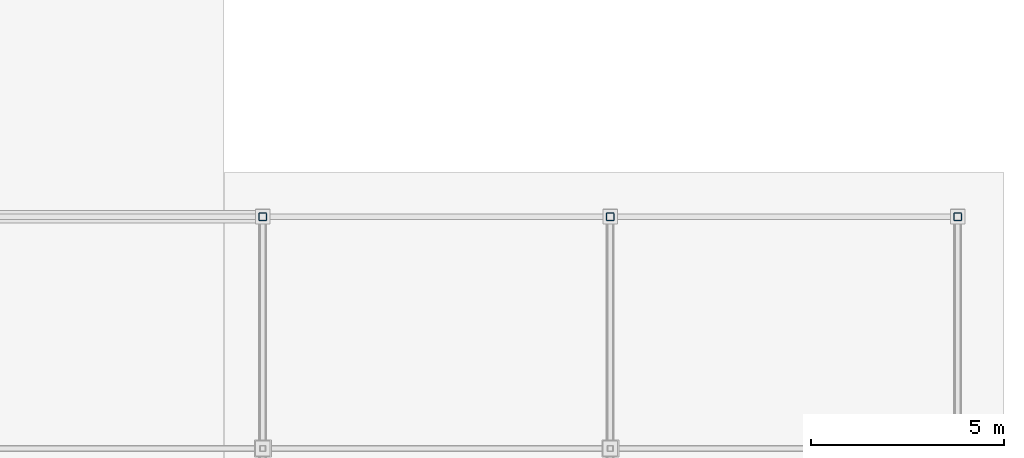
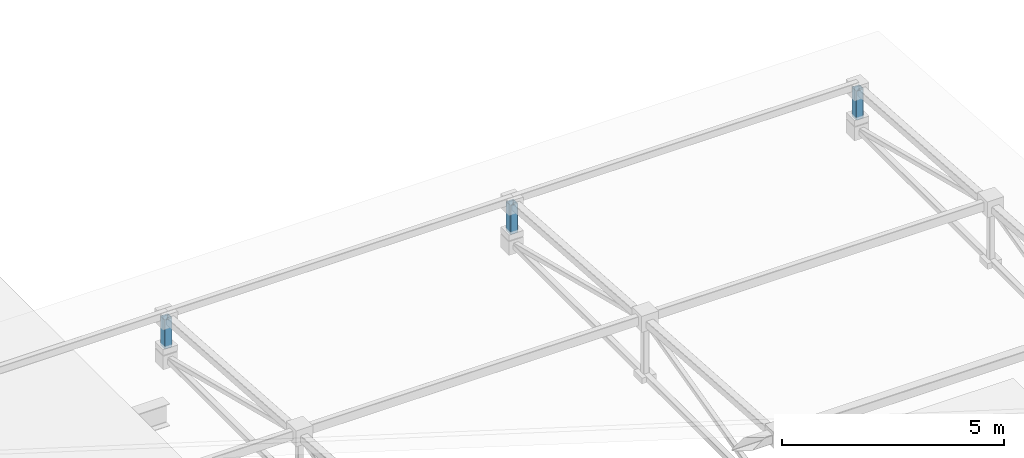
# One storey, part 62 of 85: 3 members.
"""IFC4 building model written with IfcOpenShell, lengths in metres."""

from ifc_helpers import new_model, si_unit, direction, frame, origin, origin_2d, place, context, subcontext, project, spatial, hollow_rectangle, extrude, material, material_profile, profile_set, type_object, element, save


model = new_model("IFC4")

# Units and contexts
model_context = context("Model", 3, precision=1e-05, world=origin(), true_north=direction((0.0, 1.0)))
body_context = subcontext(model_context, "Body", "Model", "MODEL_VIEW")
ifc_project = project(units=[si_unit("LENGTHUNIT", "METRE"), si_unit("AREAUNIT", "SQUARE_METRE"), si_unit("VOLUMEUNIT", "CUBIC_METRE"), si_unit("PLANEANGLEUNIT", "RADIAN"), si_unit("MASSUNIT", "GRAM", prefix="KILO"), si_unit("THERMODYNAMICTEMPERATUREUNIT", "KELVIN"), si_unit("POWERUNIT", "WATT")], contexts=[model_context])

# Site, building, storey
site_placement = place(None, origin())
site = spatial("IfcSite", under=ifc_project, at=site_placement, CompositionType="ELEMENT")
building_placement = place(site_placement, origin())
building = spatial("IfcBuilding", under=site, at=building_placement, Name="Zelmaris Science Centre", CompositionType="ELEMENT")
storey_placement = place(building_placement, frame((0.0, 0.0, 20.39990234375)))
storey = spatial("IfcBuildingStorey", under=building, at=storey_placement, Name="L04", CompositionType="ELEMENT", Elevation=20.39990234375)

# Members
ifc_material = material(Name="Steel ASTM A500 Grade C", Category="steel")
ifc_material_profile = material_profile(ifc_material, hollow_rectangle(XDim=0.203125, YDim=0.203125, WallThickness=0.01171875, InnerFilletRadius=0.01171875, OuterFilletRadius=0.023681640625, at=origin_2d()), Name="HSS203X203X13")
ifc_profile_set = profile_set([ifc_material_profile], Name="Steel ASTM A500 Grade C")
member_type = type_object("IfcMemberType", Name="Structural Brace BR-02 HSS203X203X13", PredefinedType="BRACE", material=ifc_profile_set)
for number, where, z_axis, x_axis, name in (
    (1, (117.0, 56.0, 1.25), (0.0, 0.0, 1.0), (1.0, 0.0, 0.0), "RF-V4 Roof truss 2 end post VN"),
    (2, (126.0, 56.0, 1.25), (0.0, 0.0, 1.0), (1.0, 0.0, 0.0), "RF-V4 Roof truss 3 end post VN"),
    (3, (135.0, 56.0, 1.25), (0.0, 0.0, 1.0), (1.0, 0.0, 0.0), "RF-V4 Roof truss 4 end post VN"),
):
    element("IfcMember", number, at=place(storey_placement, frame(where, z_axis=z_axis, x_axis=x_axis)), inside=storey, type_object=member_type, Name=name, PredefinedType="BRACE", context=body_context, shape_type="SweptSolid", body=[
        extrude(hollow_rectangle(XDim=0.203125, YDim=0.203125, WallThickness=0.01171875, InnerFilletRadius=0.01171875, OuterFilletRadius=0.023681640625, at=origin_2d()), origin(), (0.0, 0.0, 1.0), 0.7978515625),
    ])

save(model, "model.ifc")
